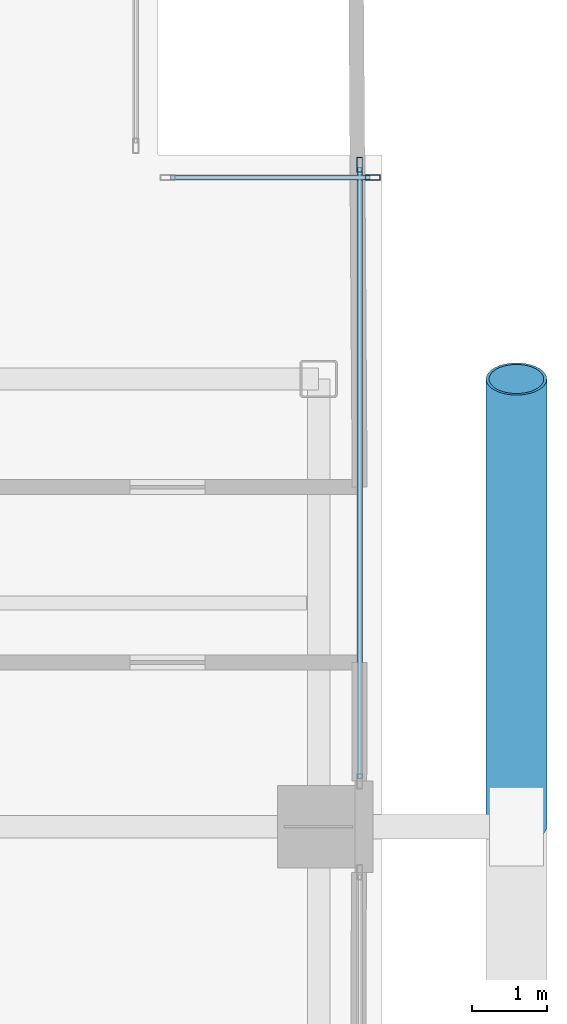
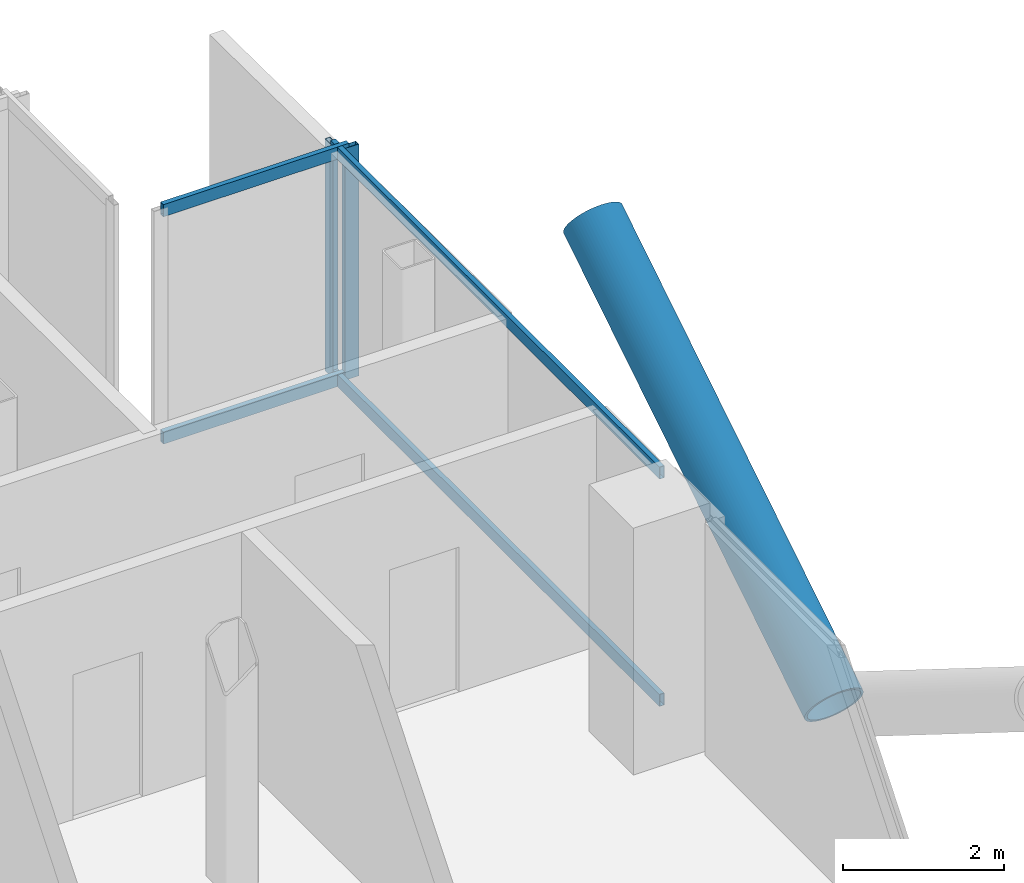
# One storey, part 13 of 24: 7 members, 2 elements without a shape of their own.
"""IFC4 building model written with IfcOpenShell, lengths in metres."""

from ifc_helpers import new_model, si_unit, direction, frame, origin, origin_2d, place, context, subcontext, project, spatial, hollow_rectangle, hollow_circle, extrude, material, layer, layer_set, material_profile, profile_set, type_object, element, aggregate, save


model = new_model("IFC4")

# Units and contexts
model_context = context("Model", 3, precision=1e-05, world=origin(), true_north=direction((0.0, 1.0)))
body_context = subcontext(model_context, "Body", "Model", "MODEL_VIEW")
ifc_project = project(units=[si_unit("LENGTHUNIT", "METRE"), si_unit("AREAUNIT", "SQUARE_METRE"), si_unit("VOLUMEUNIT", "CUBIC_METRE"), si_unit("PLANEANGLEUNIT", "RADIAN"), si_unit("MASSUNIT", "GRAM", prefix="KILO"), si_unit("THERMODYNAMICTEMPERATUREUNIT", "KELVIN"), si_unit("POWERUNIT", "WATT")], contexts=[model_context])

# Site, building, storey
site_placement = place(None, origin())
site = spatial("IfcSite", under=ifc_project, at=site_placement, CompositionType="ELEMENT")
building_placement = place(site_placement, origin())
building = spatial("IfcBuilding", under=site, at=building_placement, Name="Svarakhadi Broadcast Tower", CompositionType="ELEMENT")
storey_placement = place(building_placement, frame((0.0, 0.0, 115.64990234375)))
storey = spatial("IfcBuildingStorey", under=building, at=storey_placement, Name="L27", CompositionType="ELEMENT", Elevation=115.64990234375)

# Curtain wall, member
ifc_material_1 = material(Name="Anodised Bronze Aluminium AA 6063-T6", Category="aluminium")
ifc_layer = layer(ifc_material_1, 0.199951171875)
ifc_layer_set = layer_set([ifc_layer], Name="Anodised Bronze Aluminium AA 6063-T6")
curtain_wall_type = type_object("IfcCurtainWallType", Name="CW_Sys_03", PredefinedType="NOTDEFINED", material=ifc_layer_set)
curtain_wall_1_placement = place(storey_placement, origin())
curtain_wall_1 = element("IfcCurtainWall", 1, at=curtain_wall_1_placement, inside=storey, type_object=curtain_wall_type, Name="L27 Unitised Facade Curtain Wall 12", PredefinedType="NOTDEFINED")
ifc_material_profile_1 = material_profile(ifc_material_1, hollow_rectangle(XDim=0.074951171875, YDim=0.199951171875, WallThickness=0.005615234375, at=origin_2d()), Name="ALU MULLION 200x75x6")
ifc_profile_set_1 = profile_set([ifc_material_profile_1], Name="Anodised Bronze Aluminium AA 6063-T6")
member_type_1 = type_object("IfcMemberType", Name="CW_Sys_03_Mul", PredefinedType="MULLION", material=ifc_profile_set_1)
member_1_placement = place(storey_placement, frame((47.87255859375, 20.699951171875, 0.0), z_axis=(0.0, 0.0, 1.0), x_axis=(0.0, 1.0, 0.0)))
member_1 = element("IfcMember", 2, at=member_1_placement, type_object=member_type_1, Name="CW-03 mullion 2", PredefinedType="MULLION", context=body_context, shape_type="SweptSolid", body=[
    extrude(hollow_rectangle(XDim=0.074951171875, YDim=0.199951171875, WallThickness=0.005615234375, at=origin_2d()), origin(), (0.0, 0.0, 1.0), 3.525146484375),
])

curtain_wall_2_placement = place(storey_placement, origin())
curtain_wall_2 = element("IfcCurtainWall", 3, at=curtain_wall_2_placement, inside=storey, type_object=curtain_wall_type, Name="L27 Unitised Facade Curtain Wall 13 Bay 1", PredefinedType="NOTDEFINED")
member_2_placement = place(storey_placement, frame((47.699951171875, 20.87255859375, 0.0), z_axis=(0.0, 0.0, 1.0), x_axis=(1.0, 0.0, 0.0)))
member_2 = element("IfcMember", 4, at=member_2_placement, type_object=member_type_1, Name="CW-03 mullion 1", PredefinedType="MULLION", context=body_context, shape_type="SweptSolid", body=[
    extrude(hollow_rectangle(XDim=0.074951171875, YDim=0.199951171875, WallThickness=0.005615234375, at=origin_2d()), origin(), (0.0, 0.0, 1.0), 3.525146484375),
])

# Member
ifc_material_profile_2 = material_profile(ifc_material_1, hollow_rectangle(XDim=0.070068359375, YDim=0.18505859375, WallThickness=0.0048828125, at=origin_2d()), Name="ALU TRANSOM 185x70x5")
ifc_profile_set_2 = profile_set([ifc_material_profile_2], Name="Anodised Bronze Aluminium AA 6063-T6")
member_type_2 = type_object("IfcMemberType", Name="CW_Sys_03_Trn", PredefinedType="USERDEFINED", material=ifc_profile_set_2)
member_3_placement = place(storey_placement, frame((45.1650390625, 20.699951171875, 0.03515625), z_axis=(1.0, 0.0, 0.0), x_axis=(0.0, 1.0, 0.0)))
member_3 = element("IfcMember", 5, at=member_3_placement, type_object=member_type_2, Name="CW-03 transom 1.1", ObjectType="TRANSOM", PredefinedType="USERDEFINED", context=body_context, shape_type="SweptSolid", body=[
    extrude(hollow_rectangle(XDim=0.070068359375, YDim=0.18505859375, WallThickness=0.0048828125, at=origin_2d()), origin(), (0.0, 0.0, 1.0), 2.669921875),
])

member_4_placement = place(storey_placement, frame((45.1650390625, 20.699951171875, 3.489990234375), z_axis=(1.0, 0.0, 0.0), x_axis=(0.0, 1.0, 0.0)))
member_4 = element("IfcMember", 6, at=member_4_placement, type_object=member_type_2, Name="CW-03 transom 1.2", ObjectType="TRANSOM", PredefinedType="USERDEFINED", context=body_context, shape_type="SweptSolid", body=[
    extrude(hollow_rectangle(XDim=0.070068359375, YDim=0.18505859375, WallThickness=0.0048828125, at=origin_2d()), origin(), (0.0, 0.0, 1.0), 2.669921875),
])

aggregate(curtain_wall_1, [member_1, member_3, member_4])

member_5_placement = place(storey_placement, frame((47.699951171875, 20.8349609375, 0.03515625), z_axis=(0.0, -1.0, 0.0), x_axis=(1.0, 0.0, 0.0)))
member_5 = element("IfcMember", 7, at=member_5_placement, type_object=member_type_2, Name="CW-03 transom 1.1", ObjectType="TRANSOM", PredefinedType="USERDEFINED", context=body_context, shape_type="SweptSolid", body=[
    extrude(hollow_rectangle(XDim=0.070068359375, YDim=0.18505859375, WallThickness=0.0048828125, at=origin_2d()), origin(), (0.0, 0.0, 1.0), 8.18994140625),
])

member_6_placement = place(storey_placement, frame((47.699951171875, 20.8349609375, 3.489990234375), z_axis=(0.0, -1.0, 0.0), x_axis=(1.0, 0.0, 0.0)))
member_6 = element("IfcMember", 8, at=member_6_placement, type_object=member_type_2, Name="CW-03 transom 1.2", ObjectType="TRANSOM", PredefinedType="USERDEFINED", context=body_context, shape_type="SweptSolid", body=[
    extrude(hollow_rectangle(XDim=0.070068359375, YDim=0.18505859375, WallThickness=0.0048828125, at=origin_2d()), origin(), (0.0, 0.0, 1.0), 8.18994140625),
])

aggregate(curtain_wall_2, [member_2, member_5, member_6])

ifc_material_2 = material(Name="Steel S460ML (IS 2062 E450BR)", Category="steel")
ifc_material_profile_3 = material_profile(ifc_material_2, hollow_circle(Radius=0.406494140625, WallThickness=0.0400390625, at=origin_2d()), Name="CHS 813x40")
ifc_profile_set_3 = profile_set([ifc_material_profile_3], Name="Steel S460ML (IS 2062 E450BR)")
member_type_3 = type_object("IfcMemberType", Name="Exo_Brace_CHS813", PredefinedType="BRACE", material=ifc_profile_set_3)
member_7_placement = place(storey_placement, frame((49.800048828125, 12.0, -0.386962890625), z_axis=(0.0, 0.847998304005, 0.529998940003), x_axis=(-1.0, 0.0, 0.0)))
element("IfcMember", 9, at=member_7_placement, inside=storey, type_object=member_type_3, Name="L27 Exposed Bronze Exoskeleton Diagonal E07", PredefinedType="BRACE", context=body_context, shape_type="SweptSolid", body=[
    extrude(hollow_circle(Radius=0.406494140625, WallThickness=0.0400390625, at=origin_2d()), origin(), (0.0, 0.0, 1.0), 7.075439453125),
])

save(model, "model.ifc")
